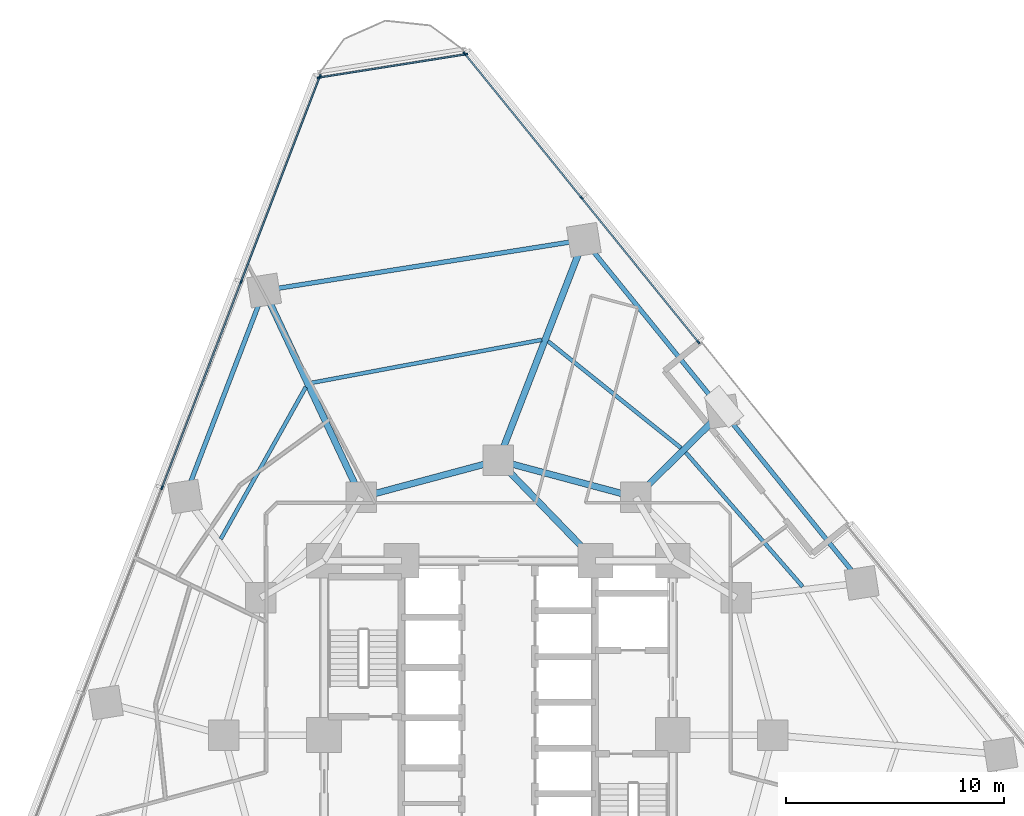
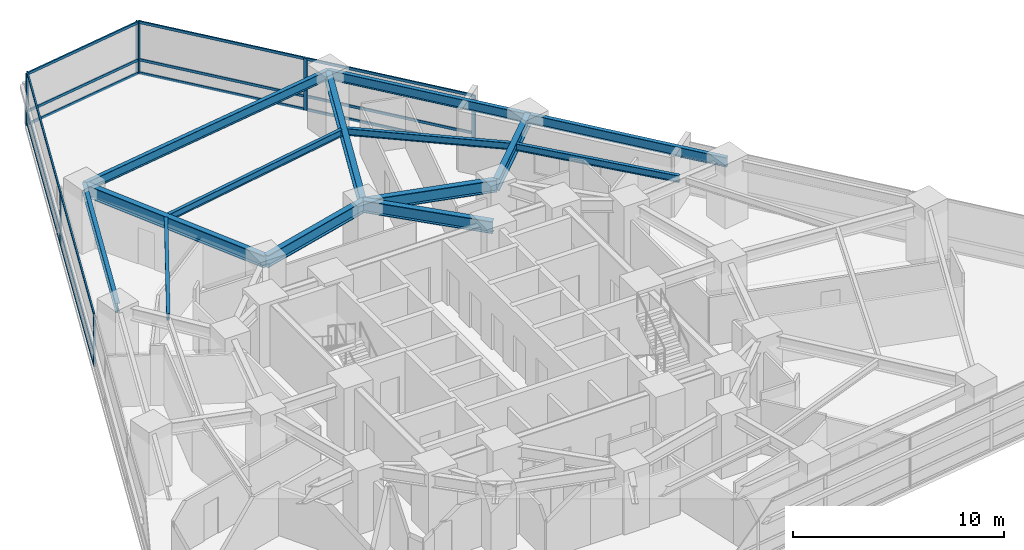
# One storey, part 5 of 13: 23 members, 14 beams, 3 elements without a shape of their own.
"""IFC4 building model written with IfcOpenShell, lengths in metres."""

from ifc_helpers import new_model, si_unit, direction, frame, origin, origin_2d, place, context, subcontext, project, spatial, rectangle, i_section, extrude, material, layer, layer_set, material_profile, profile_set, type_object, element, aggregate, save


model = new_model("IFC4")

# Units and contexts
model_context = context("Model", 3, precision=1e-05, world=origin(), true_north=direction((0.0, 1.0)))
body_context = subcontext(model_context, "Body", "Model", "MODEL_VIEW")
ifc_project = project(units=[si_unit("LENGTHUNIT", "METRE"), si_unit("AREAUNIT", "SQUARE_METRE"), si_unit("VOLUMEUNIT", "CUBIC_METRE"), si_unit("PLANEANGLEUNIT", "RADIAN"), si_unit("MASSUNIT", "GRAM", prefix="KILO")], contexts=[model_context])

# Site, building, storey
site_placement = place(None, origin())
site = spatial("IfcSite", under=ifc_project, at=site_placement, CompositionType="ELEMENT")
building_placement = place(site_placement, origin())
building = spatial("IfcBuilding", under=site, at=building_placement, Name="Terralouvre Media Tower", CompositionType="ELEMENT")
storey_placement = place(building_placement, frame((0.0, 0.0, 77.800048828125)))
storey = spatial("IfcBuildingStorey", under=building, at=storey_placement, Name="L19", CompositionType="ELEMENT", Elevation=77.800048828125)

# Beams
ifc_material_1 = material(Name="Structural steel S355J2", Category="steel")
ifc_material_profile_1 = material_profile(ifc_material_1, i_section(OverallWidth=0.179931640625, OverallDepth=0.39990234375, WebThickness=0.008544921875, FlangeThickness=0.013427734375, at=origin_2d()), Name="IPE 400")
ifc_profile_set_1 = profile_set([ifc_material_profile_1], Name="Structural steel S355J2")
beam_type_1 = type_object("IfcBeamType", Name="Composite Floor Joist J-IPE400 (IPE 400)", PredefinedType="JOIST", material=ifc_profile_set_1)
beam_1_placement = place(storey_placement, frame((13.96044921875, 6.810791015625, 3.300048828125), z_axis=(-0.656991876482, 0.753897655014, 0.0), x_axis=(-0.753897655014, -0.656991876482, 0.0)))
element("IfcBeam", 1, at=beam_1_placement, inside=storey, type_object=beam_type_1, Name="L19 Framing Beam JT-L19-07", PredefinedType="JOIST", context=body_context, shape_type="SweptSolid", body=[
    extrude(i_section(OverallWidth=0.179931640625, OverallDepth=0.39990234375, WebThickness=0.008544921875, FlangeThickness=0.013427734375, at=origin_2d()), origin(), (0.0, 0.0, 1.0), 8.165283203125),
])
beam_2_placement = place(storey_placement, frame((8.380615234375, 13.173583984375, 3.300048828125), z_axis=(-0.779905972593, 0.62589669588, 0.0), x_axis=(-0.62589669588, -0.779905972593, 0.0)))
element("IfcBeam", 2, at=beam_2_placement, inside=storey, type_object=beam_type_1, Name="L19 Framing Beam JT-L19-08", PredefinedType="JOIST", context=body_context, shape_type="SweptSolid", body=[
    extrude(i_section(OverallWidth=0.179931640625, OverallDepth=0.39990234375, WebThickness=0.008544921875, FlangeThickness=0.013427734375, at=origin_2d()), origin(), (0.0, 0.0, 1.0), 7.82470703125),
])
beam_3_placement = place(storey_placement, frame((1.985595703125, 18.13623046875, 3.300048828125), z_axis=(-0.982984181952, -0.183690223017, 0.0), x_axis=(0.183690223017, -0.982984181952, 0.0)))
element("IfcBeam", 3, at=beam_3_placement, inside=storey, type_object=beam_type_1, Name="L19 Framing Beam JT-L19-09", PredefinedType="JOIST", context=body_context, shape_type="SweptSolid", body=[
    extrude(i_section(OverallWidth=0.179931640625, OverallDepth=0.39990234375, WebThickness=0.008544921875, FlangeThickness=0.013427734375, at=origin_2d()), origin(), (0.0, 0.0, 1.0), 10.766845703125),
])
beam_4_placement = place(storey_placement, frame((-8.837646484375, 15.97119140625, 3.300048828125), z_axis=(-0.488342920388, -0.87265181608, 0.0), x_axis=(0.87265181608, -0.488342920388, 0.0)))
element("IfcBeam", 4, at=beam_4_placement, inside=storey, type_object=beam_type_1, Name="L19 Framing Beam JT-L19-10", PredefinedType="JOIST", context=body_context, shape_type="SweptSolid", body=[
    extrude(i_section(OverallWidth=0.179931640625, OverallDepth=0.39990234375, WebThickness=0.008544921875, FlangeThickness=0.013427734375, at=origin_2d()), origin(), (0.0, 0.0, 1.0), 7.992919921875),
])

# Curtain wall, members
ifc_material_2 = material(Name="Low-iron laminated double glazing with solar-control coating", Category="glass")
ifc_layer_1 = layer(ifc_material_2, 0.1650390625, Name="Lower Media Tower Unitised Curtain Wall CW-02")
ifc_layer_set_1 = layer_set([ifc_layer_1], Name="Low-iron laminated double glazing with solar-control coating")
curtain_wall_type_1 = type_object("IfcCurtainWallType", Name="Lower Media Tower Unitised Curtain Wall CW-02", PredefinedType="NOTDEFINED", material=ifc_layer_set_1)
curtain_wall_1_placement = place(storey_placement, origin())
curtain_wall_1 = element("IfcCurtainWall", 5, at=curtain_wall_1_placement, inside=storey, type_object=curtain_wall_type_1, Name="L19 Right Flank Curtain Wall F1", PredefinedType="NOTDEFINED")
ifc_material_3 = material(Name="Anodised extruded aluminium 6063-T6", Category="aluminium")
ifc_material_profile_2 = material_profile(ifc_material_3, rectangle(XDim=0.074951171875, YDim=0.14990234375, at=origin_2d()), Name="ALU 75x150")
ifc_profile_set_2 = profile_set([ifc_material_profile_2], Name="Anodised extruded aluminium 6063-T6")
member_type_1 = type_object("IfcMemberType", Name="Curtain-Wall Horizontal Transom TR-150", PredefinedType="USERDEFINED", material=ifc_profile_set_2)
member_1_placement = place(storey_placement, frame((9.15283203125, 18.059814453125, 0.037353515625), z_axis=(-0.629318773805, 0.777147271073, 0.0), x_axis=(-0.777147271073, -0.629318773805, 0.0)))
member_1 = element("IfcMember", 6, at=member_1_placement, type_object=member_type_1, Name="CW-02 transom 1.1", ObjectType="TRANSOM", PredefinedType="USERDEFINED", context=body_context, shape_type="SweptSolid", body=[
    extrude(rectangle(XDim=0.074951171875, YDim=0.14990234375, at=origin_2d()), origin(), (0.0, 0.0, 1.0), 8.447509765625),
])
member_2_placement = place(storey_placement, frame((9.15283203125, 18.059814453125, 0.800048828125), z_axis=(-0.629318773805, 0.777147271073, 0.0), x_axis=(-0.777147271073, -0.629318773805, 0.0)))
member_2 = element("IfcMember", 7, at=member_2_placement, type_object=member_type_1, Name="CW-02 transom 1.2", ObjectType="TRANSOM", PredefinedType="USERDEFINED", context=body_context, shape_type="SweptSolid", body=[
    extrude(rectangle(XDim=0.074951171875, YDim=0.14990234375, at=origin_2d()), origin(), (0.0, 0.0, 1.0), 8.447509765625),
])
member_3_placement = place(storey_placement, frame((9.15283203125, 18.059814453125, 2.96240234375), z_axis=(-0.629318773805, 0.777147271073, 0.0), x_axis=(-0.777147271073, -0.629318773805, 0.0)))
member_3 = element("IfcMember", 8, at=member_3_placement, type_object=member_type_1, Name="CW-02 transom 1.3", ObjectType="TRANSOM", PredefinedType="USERDEFINED", context=body_context, shape_type="SweptSolid", body=[
    extrude(rectangle(XDim=0.074951171875, YDim=0.14990234375, at=origin_2d()), origin(), (0.0, 0.0, 1.0), 8.447509765625),
])
member_4_placement = place(storey_placement, frame((3.78955078125, 24.68310546875, 0.037353515625), z_axis=(-0.629318773805, 0.777147271073, 0.0), x_axis=(-0.777147271073, -0.629318773805, 0.0)))
member_4 = element("IfcMember", 9, at=member_4_placement, type_object=member_type_1, Name="CW-02 transom 2.1", ObjectType="TRANSOM", PredefinedType="USERDEFINED", context=body_context, shape_type="SweptSolid", body=[
    extrude(rectangle(XDim=0.074951171875, YDim=0.14990234375, at=origin_2d()), origin(), (0.0, 0.0, 1.0), 8.447509765625),
])
member_5_placement = place(storey_placement, frame((3.78955078125, 24.68310546875, 0.800048828125), z_axis=(-0.629318773805, 0.777147271073, 0.0), x_axis=(-0.777147271073, -0.629318773805, 0.0)))
member_5 = element("IfcMember", 10, at=member_5_placement, type_object=member_type_1, Name="CW-02 transom 2.2", ObjectType="TRANSOM", PredefinedType="USERDEFINED", context=body_context, shape_type="SweptSolid", body=[
    extrude(rectangle(XDim=0.074951171875, YDim=0.14990234375, at=origin_2d()), origin(), (0.0, 0.0, 1.0), 8.447509765625),
])
member_6_placement = place(storey_placement, frame((3.78955078125, 24.68310546875, 2.96240234375), z_axis=(-0.629318773805, 0.777147271073, 0.0), x_axis=(-0.777147271073, -0.629318773805, 0.0)))
member_6 = element("IfcMember", 11, at=member_6_placement, type_object=member_type_1, Name="CW-02 transom 2.3", ObjectType="TRANSOM", PredefinedType="USERDEFINED", context=body_context, shape_type="SweptSolid", body=[
    extrude(rectangle(XDim=0.074951171875, YDim=0.14990234375, at=origin_2d()), origin(), (0.0, 0.0, 1.0), 8.447509765625),
])

curtain_wall_2_placement = place(storey_placement, origin())
curtain_wall_2 = element("IfcCurtainWall", 12, at=curtain_wall_2_placement, inside=storey, type_object=curtain_wall_type_1, Name="L19 Facade Curtain Wall F2", PredefinedType="NOTDEFINED")
member_7_placement = place(storey_placement, frame((-8.2041015625, 30.1904296875, 0.037353515625), z_axis=(-0.358376263354, -0.933577235083, 0.0), x_axis=(0.933577235083, -0.358376263354, 0.0)))
member_7 = element("IfcMember", 13, at=member_7_placement, type_object=member_type_1, Name="CW-02 transom 1.1", ObjectType="TRANSOM", PredefinedType="USERDEFINED", context=body_context, shape_type="SweptSolid", body=[
    extrude(rectangle(XDim=0.074951171875, YDim=0.14990234375, at=origin_2d()), origin(), (0.0, 0.0, 1.0), 10.015625),
])
member_8_placement = place(storey_placement, frame((-8.2041015625, 30.1904296875, 0.800048828125), z_axis=(-0.358376263354, -0.933577235083, 0.0), x_axis=(0.933577235083, -0.358376263354, 0.0)))
member_8 = element("IfcMember", 14, at=member_8_placement, type_object=member_type_1, Name="CW-02 transom 1.2", ObjectType="TRANSOM", PredefinedType="USERDEFINED", context=body_context, shape_type="SweptSolid", body=[
    extrude(rectangle(XDim=0.074951171875, YDim=0.14990234375, at=origin_2d()), origin(), (0.0, 0.0, 1.0), 10.015625),
])
member_9_placement = place(storey_placement, frame((-8.2041015625, 30.1904296875, 2.96240234375), z_axis=(-0.358376263354, -0.933577235083, 0.0), x_axis=(0.933577235083, -0.358376263354, 0.0)))
member_9 = element("IfcMember", 15, at=member_9_placement, type_object=member_type_1, Name="CW-02 transom 1.3", ObjectType="TRANSOM", PredefinedType="USERDEFINED", context=body_context, shape_type="SweptSolid", body=[
    extrude(rectangle(XDim=0.074951171875, YDim=0.14990234375, at=origin_2d()), origin(), (0.0, 0.0, 1.0), 10.015625),
])
member_10_placement = place(storey_placement, frame((-11.8203125, 20.77001953125, 0.037353515625), z_axis=(-0.358357340084, -0.933584499019, 0.0), x_axis=(0.933584499019, -0.358357340084, 0.0)))
member_10 = element("IfcMember", 16, at=member_10_placement, type_object=member_type_1, Name="CW-02 transom 2.1", ObjectType="TRANSOM", PredefinedType="USERDEFINED", context=body_context, shape_type="SweptSolid", body=[
    extrude(rectangle(XDim=0.074951171875, YDim=0.14990234375, at=origin_2d()), origin(), (0.0, 0.0, 1.0), 10.052978515625),
])
member_11_placement = place(storey_placement, frame((-11.8203125, 20.77001953125, 0.800048828125), z_axis=(-0.358357340084, -0.933584499019, 0.0), x_axis=(0.933584499019, -0.358357340084, 0.0)))
member_11 = element("IfcMember", 17, at=member_11_placement, type_object=member_type_1, Name="CW-02 transom 2.2", ObjectType="TRANSOM", PredefinedType="USERDEFINED", context=body_context, shape_type="SweptSolid", body=[
    extrude(rectangle(XDim=0.074951171875, YDim=0.14990234375, at=origin_2d()), origin(), (0.0, 0.0, 1.0), 10.052978515625),
])
member_12_placement = place(storey_placement, frame((-11.8203125, 20.77001953125, 2.96240234375), z_axis=(-0.358357340084, -0.933584499019, 0.0), x_axis=(0.933584499019, -0.358357340084, 0.0)))
member_12 = element("IfcMember", 18, at=member_12_placement, type_object=member_type_1, Name="CW-02 transom 2.3", ObjectType="TRANSOM", PredefinedType="USERDEFINED", context=body_context, shape_type="SweptSolid", body=[
    extrude(rectangle(XDim=0.074951171875, YDim=0.14990234375, at=origin_2d()), origin(), (0.0, 0.0, 1.0), 10.052978515625),
])

ifc_material_4 = material(Name="Low-iron laminated double glazing with solar-control coating", Category="glass")
ifc_layer_2 = layer(ifc_material_4, 0.1650390625, Name="Rounded Wind-Corner Curved Glazing CW-04")
ifc_layer_set_2 = layer_set([ifc_layer_2], Name="Low-iron laminated double glazing with solar-control coating")
curtain_wall_type_2 = type_object("IfcCurtainWallType", Name="Rounded Wind-Corner Curved Glazing CW-04", PredefinedType="NOTDEFINED", material=ifc_layer_set_2)
curtain_wall_3_placement = place(storey_placement, origin())
curtain_wall_3 = element("IfcCurtainWall", 19, at=curtain_wall_3_placement, inside=storey, type_object=curtain_wall_type_2, Name="L19 Rounded Wind-Corner Curtain Wall C2", PredefinedType="NOTDEFINED")
member_13_placement = place(storey_placement, frame((-1.53271484375, 31.231689453125, 0.037353515625), z_axis=(-0.987688588398, -0.156432900464, 0.0), x_axis=(0.156432900464, -0.987688588398, 0.0)))
member_13 = element("IfcMember", 20, at=member_13_placement, type_object=member_type_1, Name="CW-04 transom 1.1", ObjectType="TRANSOM", PredefinedType="USERDEFINED", context=body_context, shape_type="SweptSolid", body=[
    extrude(rectangle(XDim=0.074951171875, YDim=0.14990234375, at=origin_2d()), origin(), (0.0, 0.0, 1.0), 6.74365234375),
])
member_14_placement = place(storey_placement, frame((-1.53271484375, 31.231689453125, 0.800048828125), z_axis=(-0.987688588398, -0.156432900464, 0.0), x_axis=(0.156432900464, -0.987688588398, 0.0)))
member_14 = element("IfcMember", 21, at=member_14_placement, type_object=member_type_1, Name="CW-04 transom 1.2", ObjectType="TRANSOM", PredefinedType="USERDEFINED", context=body_context, shape_type="SweptSolid", body=[
    extrude(rectangle(XDim=0.074951171875, YDim=0.14990234375, at=origin_2d()), origin(), (0.0, 0.0, 1.0), 6.74365234375),
])
member_15_placement = place(storey_placement, frame((-1.53271484375, 31.231689453125, 2.96240234375), z_axis=(-0.987688588398, -0.156432900464, 0.0), x_axis=(0.156432900464, -0.987688588398, 0.0)))
member_15 = element("IfcMember", 22, at=member_15_placement, type_object=member_type_1, Name="CW-04 transom 1.3", ObjectType="TRANSOM", PredefinedType="USERDEFINED", context=body_context, shape_type="SweptSolid", body=[
    extrude(rectangle(XDim=0.074951171875, YDim=0.14990234375, at=origin_2d()), origin(), (0.0, 0.0, 1.0), 6.74365234375),
])

# Member
ifc_material_5 = material(Name="Anodised extruded aluminium 6063-T6", Category="aluminium")
ifc_material_profile_3 = material_profile(ifc_material_5, rectangle(XDim=0.074951171875, YDim=0.179931640625, at=origin_2d()), Name="ALU 75x180")
ifc_profile_set_3 = profile_set([ifc_material_profile_3], Name="Anodised extruded aluminium 6063-T6")
member_type_2 = type_object("IfcMemberType", Name="Curtain-Wall Vertical Mullion ML-180", PredefinedType="MULLION", material=ifc_profile_set_3)
member_16_placement = place(storey_placement, frame((9.176513671875, 18.03076171875, 0.0), z_axis=(0.0, 0.0, 1.0), x_axis=(-0.777145847699, -0.62932053153, 0.0)))
member_16 = element("IfcMember", 23, at=member_16_placement, type_object=member_type_2, Name="CW-02 mullion 1", PredefinedType="MULLION", context=body_context, shape_type="SweptSolid", body=[
    extrude(rectangle(XDim=0.074951171875, YDim=0.179931640625, at=origin_2d()), origin(), (0.0, 0.0, 1.0), 3.0),
])

member_17_placement = place(storey_placement, frame((3.81298828125, 24.65380859375, 0.0), z_axis=(0.0, 0.0, 1.0), x_axis=(-0.777145847699, -0.62932053153, 0.0)))
member_17 = element("IfcMember", 24, at=member_17_placement, type_object=member_type_2, Name="CW-02 mullion 2", PredefinedType="MULLION", context=body_context, shape_type="SweptSolid", body=[
    extrude(rectangle(XDim=0.074951171875, YDim=0.179931640625, at=origin_2d()), origin(), (0.0, 0.0, 1.0), 3.0),
])

member_18_placement = place(storey_placement, frame((-1.55029296875, 31.277099609375, 0.0), z_axis=(0.0, 0.0, 1.0), x_axis=(-0.777145847699, -0.62932053153, 0.0)))
member_18 = element("IfcMember", 25, at=member_18_placement, type_object=member_type_2, Name="CW-02 mullion 3", PredefinedType="MULLION", context=body_context, shape_type="SweptSolid", body=[
    extrude(rectangle(XDim=0.074951171875, YDim=0.179931640625, at=origin_2d()), origin(), (0.0, 0.0, 1.0), 3.0),
])

aggregate(curtain_wall_1, [member_16, member_17, member_18, member_1, member_2, member_3, member_4, member_5, member_6])

member_19_placement = place(storey_placement, frame((-8.190673828125, 30.225341796875, 0.0), z_axis=(0.0, 0.0, 1.0), x_axis=(0.933580438988, -0.358367917006, 0.0)))
member_19 = element("IfcMember", 26, at=member_19_placement, type_object=member_type_2, Name="CW-02 mullion 1", PredefinedType="MULLION", context=body_context, shape_type="SweptSolid", body=[
    extrude(rectangle(XDim=0.074951171875, YDim=0.179931640625, at=origin_2d()), origin(), (0.0, 0.0, 1.0), 3.0),
])

member_20_placement = place(storey_placement, frame((-11.806884765625, 20.80517578125, 0.0), z_axis=(0.0, 0.0, 1.0), x_axis=(0.933580438988, -0.358367917006, 0.0)))
member_20 = element("IfcMember", 27, at=member_20_placement, type_object=member_type_2, Name="CW-02 mullion 2", PredefinedType="MULLION", context=body_context, shape_type="SweptSolid", body=[
    extrude(rectangle(XDim=0.074951171875, YDim=0.179931640625, at=origin_2d()), origin(), (0.0, 0.0, 1.0), 3.0),
])

member_21_placement = place(storey_placement, frame((-15.436279296875, 11.349853515625, 0.0), z_axis=(0.0, 0.0, 1.0), x_axis=(0.933580438988, -0.358367917006, 0.0)))
member_21 = element("IfcMember", 28, at=member_21_placement, type_object=member_type_2, Name="CW-02 mullion 3", PredefinedType="MULLION", context=body_context, shape_type="SweptSolid", body=[
    extrude(rectangle(XDim=0.074951171875, YDim=0.179931640625, at=origin_2d()), origin(), (0.0, 0.0, 1.0), 3.0),
])

aggregate(curtain_wall_2, [member_19, member_20, member_21, member_7, member_8, member_9, member_10, member_11, member_12])

member_22_placement = place(storey_placement, frame((-1.495849609375, 31.237548828125, 0.0), z_axis=(0.0, 0.0, 1.0), x_axis=(0.156434386502, -0.987688353034, 0.0)))
member_22 = element("IfcMember", 29, at=member_22_placement, type_object=member_type_2, Name="CW-04 mullion 1", PredefinedType="MULLION", context=body_context, shape_type="SweptSolid", body=[
    extrude(rectangle(XDim=0.074951171875, YDim=0.179931640625, at=origin_2d()), origin(), (0.0, 0.0, 1.0), 3.0),
])

member_23_placement = place(storey_placement, frame((-8.23046875, 30.1708984375, 0.0), z_axis=(0.0, 0.0, 1.0), x_axis=(0.156434386502, -0.987688353034, 0.0)))
member_23 = element("IfcMember", 30, at=member_23_placement, type_object=member_type_2, Name="CW-04 mullion 2", PredefinedType="MULLION", context=body_context, shape_type="SweptSolid", body=[
    extrude(rectangle(XDim=0.074951171875, YDim=0.179931640625, at=origin_2d()), origin(), (0.0, 0.0, 1.0), 3.0),
])

aggregate(curtain_wall_3, [member_22, member_23, member_13, member_14, member_15])

# Beams
ifc_material_6 = material(Name="Structural steel S355J2", Category="steel")
ifc_material_profile_4 = material_profile(ifc_material_6, i_section(OverallWidth=0.2099609375, OverallDepth=0.550048828125, WebThickness=0.010986328125, FlangeThickness=0.01708984375, at=origin_2d()), Name="IPE 550")
ifc_profile_set_4 = profile_set([ifc_material_profile_4], Name="Structural steel S355J2")
beam_type_2 = type_object("IfcBeamType", Name="Perimeter Spandrel Beam SPB-550 (IPE 550)", PredefinedType="SPANDREL", material=ifc_profile_set_4)
for number, where, z_axis, x_axis, name in (
    (31, (16.669189453125, 6.982421875, 3.224853515625), (-0.629325814949, 0.777141569239, 0.0), (-0.777141569239, -0.629325814949, 0.0), "L19 Framing Beam BM-L19-PR07"),
    (32, (10.29541015625, 14.853271484375, 3.224853515625), (-0.629325814949, 0.777141569239, 0.0), (-0.777141569239, -0.629325814949, 0.0), "L19 Framing Beam BM-L19-PR08"),
):
    element("IfcBeam", number, at=place(storey_placement, frame(where, z_axis=z_axis, x_axis=x_axis)), inside=storey, type_object=beam_type_2, Name=name, PredefinedType="SPANDREL", context=body_context, shape_type="SweptSolid", body=[
        extrude(i_section(OverallWidth=0.2099609375, OverallDepth=0.550048828125, WebThickness=0.010986328125, FlangeThickness=0.01708984375, at=origin_2d()), origin(), (0.0, 0.0, 1.0), 10.1279296875),
    ])
beam_5_placement = place(storey_placement, frame((3.921630859375, 22.72412109375, 3.224853515625), z_axis=(-0.98768930547, -0.156428372939, 0.0), x_axis=(0.156428372939, -0.98768930547, 0.0)))
element("IfcBeam", 33, at=beam_5_placement, inside=storey, type_object=beam_type_2, Name="L19 Framing Beam BM-L19-PR09", PredefinedType="SPANDREL", context=body_context, shape_type="SweptSolid", body=[
    extrude(i_section(OverallWidth=0.2099609375, OverallDepth=0.550048828125, WebThickness=0.010986328125, FlangeThickness=0.01708984375, at=origin_2d()), origin(), (0.0, 0.0, 1.0), 14.8564453125),
])
beam_6_placement = place(storey_placement, frame((-10.751953125, 20.400146484375, 3.224853515625), z_axis=(-0.358353868481, -0.933585831589, 0.0), x_axis=(0.933585831589, -0.358353868481, 0.0)))
element("IfcBeam", 34, at=beam_6_placement, inside=storey, type_object=beam_type_2, Name="L19 Framing Beam BM-L19-PR10", PredefinedType="SPANDREL", context=body_context, shape_type="SweptSolid", body=[
    extrude(i_section(OverallWidth=0.2099609375, OverallDepth=0.550048828125, WebThickness=0.010986328125, FlangeThickness=0.01708984375, at=origin_2d()), origin(), (0.0, 0.0, 1.0), 10.1279296875),
])
ifc_material_7 = material(Name="Structural steel S460M", Category="steel")
ifc_material_profile_5 = material_profile(ifc_material_7, i_section(OverallWidth=0.300048828125, OverallDepth=0.699951171875, WebThickness=0.01708984375, FlangeThickness=0.031982421875, at=origin_2d()), Name="HEB 700")
ifc_profile_set_5 = profile_set([ifc_material_profile_5], Name="Structural steel S460M")
beam_type_3 = type_object("IfcBeamType", Name="Primary Floor Girder B-HEB700 (HEB 700)", PredefinedType="BEAM", material=ifc_profile_set_5)
for number, where, z_axis, x_axis, name in (
    (35, (6.300048828125, 10.911865234375, 3.14990234375), (-0.965920481897, 0.258838989821, 0.0), (-0.258838989821, -0.965920481897, 0.0), "L19 Framing Beam BM-L19-MR08"),
    (36, (0.0, 12.60009765625, 3.14990234375), (-0.965920481897, -0.258838989821, 0.0), (0.258838989821, -0.965920481897, 0.0), "L19 Framing Beam BM-L19-MR09"),
):
    element("IfcBeam", number, at=place(storey_placement, frame(where, z_axis=z_axis, x_axis=x_axis)), inside=storey, type_object=beam_type_3, Name=name, PredefinedType="BEAM", context=body_context, shape_type="SweptSolid", body=[
        extrude(i_section(OverallWidth=0.300048828125, OverallDepth=0.699951171875, WebThickness=0.01708984375, FlangeThickness=0.031982421875, at=origin_2d()), origin(), (0.0, 0.0, 1.0), 6.522216796875),
    ])
beam_7_placement = place(storey_placement, frame((4.449951171875, 8.0, 3.14990234375), z_axis=(-0.695279715726, 0.718739255155, 0.0), x_axis=(-0.718739255155, -0.695279715726, 0.0)))
element("IfcBeam", 37, at=beam_7_placement, inside=storey, type_object=beam_type_3, Name="L19 Framing Beam BM-L19-CM09", PredefinedType="BEAM", context=body_context, shape_type="SweptSolid", body=[
    extrude(i_section(OverallWidth=0.300048828125, OverallDepth=0.699951171875, WebThickness=0.01708984375, FlangeThickness=0.031982421875, at=origin_2d()), origin(), (0.0, 0.0, 1.0), 6.400146484375),
])
beam_8_placement = place(storey_placement, frame((6.300048828125, 10.911865234375, 3.14990234375), z_axis=(0.711897326367, 0.702283558623, 0.0), x_axis=(-0.702283558623, 0.711897326367, 0.0)))
element("IfcBeam", 38, at=beam_8_placement, inside=storey, type_object=beam_type_3, Name="L19 Framing Beam BM-L19-RD08", PredefinedType="BEAM", context=body_context, shape_type="SweptSolid", body=[
    extrude(i_section(OverallWidth=0.300048828125, OverallDepth=0.699951171875, WebThickness=0.01708984375, FlangeThickness=0.031982421875, at=origin_2d()), origin(), (0.0, 0.0, 1.0), 5.6123046875),
])
beam_9_placement = place(storey_placement, frame((0.0, 12.60009765625, 3.14990234375), z_axis=(0.361206690819, 0.93248577818, 0.0), x_axis=(-0.93248577818, 0.361206690819, 0.0)))
element("IfcBeam", 39, at=beam_9_placement, inside=storey, type_object=beam_type_3, Name="L19 Framing Beam BM-L19-RD09", PredefinedType="BEAM", context=body_context, shape_type="SweptSolid", body=[
    extrude(i_section(OverallWidth=0.300048828125, OverallDepth=0.699951171875, WebThickness=0.01708984375, FlangeThickness=0.031982421875, at=origin_2d()), origin(), (0.0, 0.0, 1.0), 10.85693359375),
])
beam_10_placement = place(storey_placement, frame((-6.300048828125, 10.911865234375, 3.14990234375), z_axis=(-0.42476805902, 0.905302212544, 0.0), x_axis=(-0.905302212544, -0.42476805902, 0.0)))
element("IfcBeam", 40, at=beam_10_placement, inside=storey, type_object=beam_type_3, Name="L19 Framing Beam BM-L19-RD10", PredefinedType="BEAM", context=body_context, shape_type="SweptSolid", body=[
    extrude(i_section(OverallWidth=0.300048828125, OverallDepth=0.699951171875, WebThickness=0.01708984375, FlangeThickness=0.031982421875, at=origin_2d()), origin(), (0.0, 0.0, 1.0), 10.480712890625),
])

save(model, "model.ifc")
